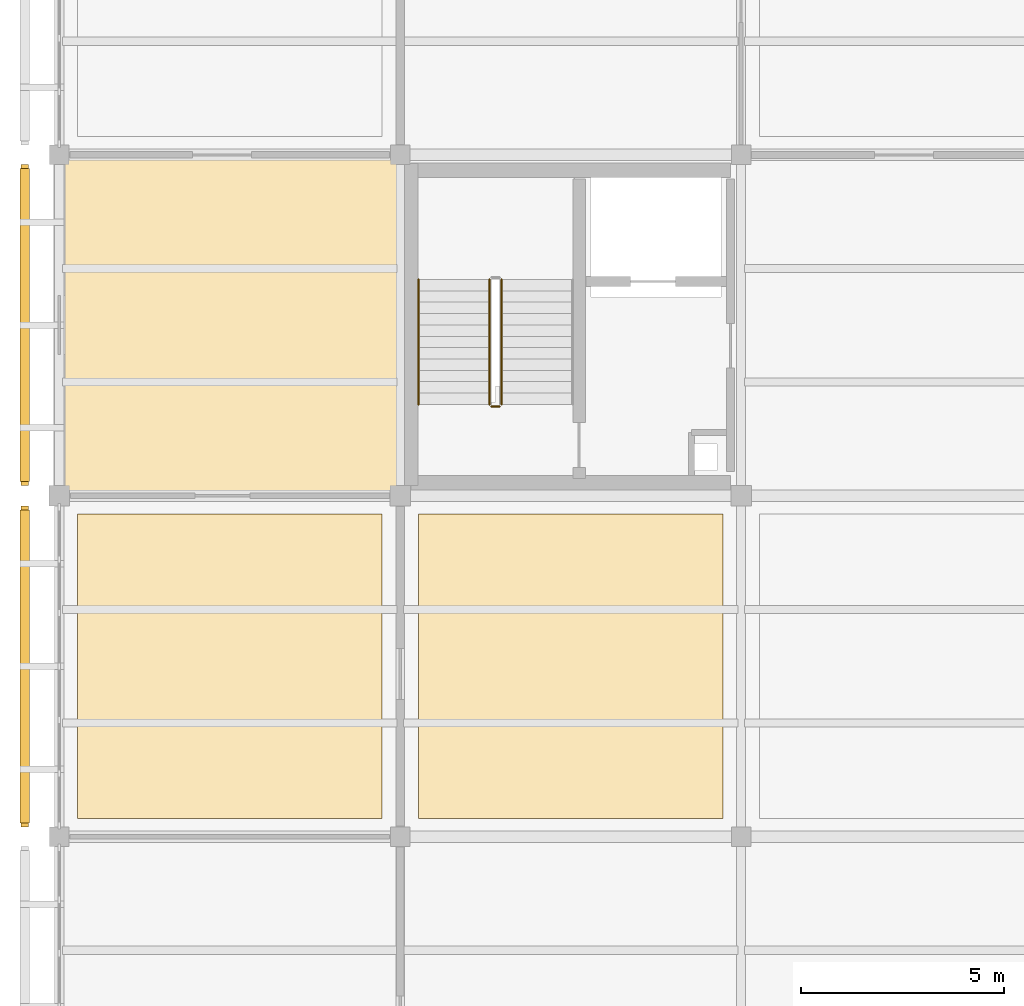
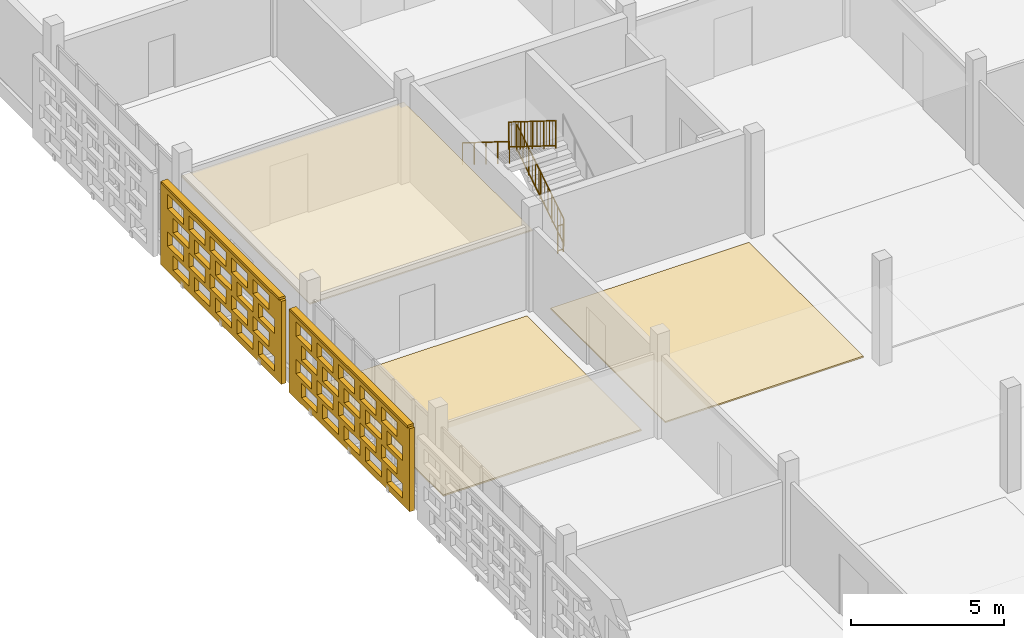
# One storey, part 133 of 166: 5 coverings, 4 railings, 2 shading devices, 40 openings.
"""IFC4 building model written with IfcOpenShell, lengths in metres."""

from ifc_helpers import new_model, si_unit, direction, frame, frame_2d, origin, origin_2d, place, context, subcontext, project, spatial, rectangle, circle, extrude, material, layer, layer_set, type_object, element, save


model = new_model("IFC4")

# Units and contexts
model_context = context("Model", 3, precision=1e-05, world=origin(), true_north=direction((0.0, 1.0)))
body_context = subcontext(model_context, "Body", "Model", "MODEL_VIEW")
ifc_project = project(units=[si_unit("LENGTHUNIT", "METRE"), si_unit("AREAUNIT", "SQUARE_METRE"), si_unit("VOLUMEUNIT", "CUBIC_METRE"), si_unit("PLANEANGLEUNIT", "RADIAN"), si_unit("MASSUNIT", "GRAM", prefix="KILO")], contexts=[model_context])

# Site, building, storey
site_placement = place(None, origin())
site = spatial("IfcSite", under=ifc_project, at=site_placement, CompositionType="ELEMENT")
building_placement = place(site_placement, origin())
building = spatial("IfcBuilding", under=site, at=building_placement, Name="Varnapada Polytechnic", CompositionType="ELEMENT")
storey_placement = place(building_placement, frame((0.0, 0.0, 9.60009765625)))
storey = spatial("IfcBuildingStorey", under=building, at=storey_placement, Name="L02", CompositionType="ELEMENT", Elevation=9.60009765625)

# Coverings
ifc_material_1 = material(Name="Anti-Static Raised Laboratory Flooring")
ifc_layer_1 = layer(ifc_material_1, 0.06005859375)
ifc_layer_set_1 = layer_set([ifc_layer_1], Name="Anti-Static Raised Laboratory Flooring")
covering_type_1 = type_object("IfcCoveringType", Name="Floor Finish FLR-02", PredefinedType="FLOORING", material=ifc_layer_set_1)
covering_1_placement = place(storey_placement, frame((4.199951171875, 96.60009765625, -0.000244140625), z_axis=(0.0, 0.0, 1.0), x_axis=(1.0, 0.0, 0.0)))
element("IfcCovering", 1, at=covering_1_placement, inside=storey, type_object=covering_type_1, Name="L02 floor finish panel (1,12)", PredefinedType="FLOORING", context=body_context, shape_type="SweptSolid", body=[
    extrude(rectangle(XDim=7.5, YDim=7.5, at=origin_2d()), origin(), (0.0, 0.0, 1.0), 0.06005859375),
])
ifc_material_2 = material(Name="End-Grain Timber Studio Block Flooring", Category="wood")
ifc_layer_2 = layer(ifc_material_2, 0.054931640625)
ifc_layer_set_2 = layer_set([ifc_layer_2], Name="End-Grain Timber Studio Block Flooring")
covering_type_2 = type_object("IfcCoveringType", Name="Floor Finish FLR-04", PredefinedType="FLOORING", material=ifc_layer_set_2)
covering_2_placement = place(storey_placement, frame((12.60009765625, 96.60009765625, 0.0), z_axis=(0.0, 0.0, 1.0), x_axis=(1.0, 0.0, 0.0)))
element("IfcCovering", 2, at=covering_2_placement, inside=storey, type_object=covering_type_2, Name="L02 floor finish panel (2,12)", PredefinedType="FLOORING", context=body_context, shape_type="SweptSolid", body=[
    extrude(rectangle(XDim=7.5, YDim=7.5, at=origin_2d()), origin(), (0.0, 0.0, 1.0), 0.054931640625),
])

# Railings
ifc_material_3 = material(Name="Brushed Stainless Steel 316", Category="steel")
railing_type_1 = type_object("IfcRailingType", Name="Stair Wall Handrail SHR-01", PredefinedType="HANDRAIL", material=ifc_material_3)
railing_1_placement = place(storey_placement, frame((8.85009765625, 106.1298828125, 2.27490234375)))
element("IfcRailing", 3, at=railing_1_placement, inside=storey, type_object=railing_type_1, Name="L02 ST-1 stair handrail 2", PredefinedType="HANDRAIL", context=body_context, shape_type="SweptSolid", body=[
    extrude(circle(Radius=0.02392578125, at=origin_2d()), frame((0.0, 0.0, 0.8759765625), z_axis=(0.0, -0.847979421464, 0.530029150871), x_axis=(1.0, 0.0, 0.0)), (0.0, 0.0, 1.0), 3.632080078125),
    extrude(circle(Radius=0.02099609375, at=origin_2d()), origin(), (0.0, 0.0, 1.0), 0.851806640625),
    extrude(circle(Radius=0.02099609375, at=origin_2d()), frame((0.0, -0.77001953125, 0.481201171875)), (0.0, 0.0, 1.0), 0.851806640625),
    extrude(circle(Radius=0.02099609375, at=origin_2d()), frame((0.0, -1.5400390625, 0.96240234375)), (0.0, 0.0, 1.0), 0.851806640625),
    extrude(circle(Radius=0.02099609375, at=origin_2d()), frame((0.0, -2.309814453125, 1.44384765625)), (0.0, 0.0, 1.0), 0.851806640625),
    extrude(circle(Radius=0.02099609375, at=origin_2d()), frame((0.0, -3.079833984375, 1.925048828125)), (0.0, 0.0, 1.0), 0.851806640625),
])
railing_type_2 = type_object("IfcRailingType", Name="Stair Well Guard Rail SGR-01", PredefinedType="BALUSTRADE", material=ifc_material_3)
railing_2_placement = place(storey_placement, frame((10.89990234375, 103.050048828125, 0.1748046875)))
element("IfcRailing", 4, at=railing_2_placement, inside=storey, type_object=railing_type_2, Name="L02 ST-1 stair guard 1", PredefinedType="BALUSTRADE", context=body_context, shape_type="SweptSolid", body=[
    extrude(circle(Radius=0.02392578125, at=origin_2d()), frame((0.0, 0.0, 1.09619140625), z_axis=(0.0, 0.847979421464, 0.530029150871), x_axis=(-1.0, 0.0, 0.0)), (0.0, 0.0, 1.0), 3.632080078125),
    extrude(circle(Radius=0.02392578125, at=origin_2d()), frame((0.0, 0.0, 0.10009765625), z_axis=(0.0, 0.847979421464, 0.530029150871), x_axis=(-1.0, 0.0, 0.0)), (0.0, 0.0, 1.0), 3.632080078125),
    extrude(circle(Radius=0.02099609375, at=origin_2d()), origin(), (0.0, 0.0, 1.0), 1.072021484375),
    extrude(circle(Radius=0.02099609375, at=origin_2d()), frame((0.0, 0.77001953125, 0.481201171875)), (0.0, 0.0, 1.0), 1.072021484375),
    extrude(circle(Radius=0.02099609375, at=origin_2d()), frame((0.0, 1.5400390625, 0.96240234375)), (0.0, 0.0, 1.0), 1.072021484375),
    extrude(circle(Radius=0.02099609375, at=origin_2d()), frame((0.0, 2.309814453125, 1.44384765625)), (0.0, 0.0, 1.0), 1.072021484375),
    extrude(circle(Radius=0.02099609375, at=origin_2d()), frame((0.0, 3.079833984375, 1.925048828125)), (0.0, 0.0, 1.0), 1.072021484375),
    extrude(circle(Radius=0.010009765625, at=origin_2d()), frame((0.0, 0.205322265625, 0.228515625)), (0.0, 0.0, 1.0), 0.971923828125),
    extrude(circle(Radius=0.010009765625, at=origin_2d()), frame((0.0, 0.41064453125, 0.356689453125)), (0.0, 0.0, 1.0), 0.971923828125),
    extrude(circle(Radius=0.010009765625, at=origin_2d()), frame((0.0, 0.615966796875, 0.485107421875)), (0.0, 0.0, 1.0), 0.971923828125),
    extrude(circle(Radius=0.010009765625, at=origin_2d()), frame((0.0, 0.8212890625, 0.613525390625)), (0.0, 0.0, 1.0), 0.971923828125),
    extrude(circle(Radius=0.010009765625, at=origin_2d()), frame((0.0, 1.026611328125, 0.74169921875)), (0.0, 0.0, 1.0), 0.971923828125),
    extrude(circle(Radius=0.010009765625, at=origin_2d()), frame((0.0, 1.23193359375, 0.8701171875)), (0.0, 0.0, 1.0), 0.971923828125),
    extrude(circle(Radius=0.010009765625, at=origin_2d()), frame((0.0, 1.437255859375, 0.99853515625)), (0.0, 0.0, 1.0), 0.971923828125),
    extrude(circle(Radius=0.010009765625, at=origin_2d()), frame((0.0, 1.642578125, 1.126708984375)), (0.0, 0.0, 1.0), 0.971923828125),
    extrude(circle(Radius=0.010009765625, at=origin_2d()), frame((0.0, 1.847900390625, 1.255126953125)), (0.0, 0.0, 1.0), 0.971923828125),
    extrude(circle(Radius=0.010009765625, at=origin_2d()), frame((0.0, 2.05322265625, 1.383544921875)), (0.0, 0.0, 1.0), 0.971923828125),
    extrude(circle(Radius=0.010009765625, at=origin_2d()), frame((0.0, 2.258544921875, 1.51171875)), (0.0, 0.0, 1.0), 0.971923828125),
    extrude(circle(Radius=0.010009765625, at=origin_2d()), frame((0.0, 2.4638671875, 1.64013671875)), (0.0, 0.0, 1.0), 0.971923828125),
    extrude(circle(Radius=0.010009765625, at=origin_2d()), frame((0.0, 2.669189453125, 1.7685546875)), (0.0, 0.0, 1.0), 0.971923828125),
    extrude(circle(Radius=0.010009765625, at=origin_2d()), frame((0.0, 2.87451171875, 1.896728515625)), (0.0, 0.0, 1.0), 0.971923828125),
])
railing_3_placement = place(storey_placement, frame((10.60009765625, 106.1298828125, 2.27490234375)))
element("IfcRailing", 5, at=railing_3_placement, inside=storey, type_object=railing_type_2, Name="L02 ST-1 stair guard 3", PredefinedType="BALUSTRADE", context=body_context, shape_type="SweptSolid", body=[
    extrude(circle(Radius=0.02392578125, at=origin_2d()), frame((0.0, 0.0, 1.09619140625), z_axis=(0.0, -0.847979421464, 0.530029150871), x_axis=(1.0, 0.0, 0.0)), (0.0, 0.0, 1.0), 3.632080078125),
    extrude(circle(Radius=0.02392578125, at=origin_2d()), frame((0.0, 0.0, 0.10009765625), z_axis=(0.0, -0.847979421464, 0.530029150871), x_axis=(1.0, 0.0, 0.0)), (0.0, 0.0, 1.0), 3.632080078125),
    extrude(circle(Radius=0.02099609375, at=origin_2d()), origin(), (0.0, 0.0, 1.0), 1.072021484375),
    extrude(circle(Radius=0.02099609375, at=origin_2d()), frame((0.0, -0.77001953125, 0.481201171875)), (0.0, 0.0, 1.0), 1.072021484375),
    extrude(circle(Radius=0.02099609375, at=origin_2d()), frame((0.0, -1.5400390625, 0.96240234375)), (0.0, 0.0, 1.0), 1.072021484375),
    extrude(circle(Radius=0.02099609375, at=origin_2d()), frame((0.0, -2.309814453125, 1.44384765625)), (0.0, 0.0, 1.0), 1.072021484375),
    extrude(circle(Radius=0.02099609375, at=origin_2d()), frame((0.0, -3.079833984375, 1.925048828125)), (0.0, 0.0, 1.0), 1.072021484375),
    extrude(circle(Radius=0.010009765625, at=origin_2d()), frame((0.0, -0.205322265625, 0.228515625)), (0.0, 0.0, 1.0), 0.971923828125),
    extrude(circle(Radius=0.010009765625, at=origin_2d()), frame((0.0, -0.41064453125, 0.356689453125)), (0.0, 0.0, 1.0), 0.971923828125),
    extrude(circle(Radius=0.010009765625, at=origin_2d()), frame((0.0, -0.615966796875, 0.485107421875)), (0.0, 0.0, 1.0), 0.971923828125),
    extrude(circle(Radius=0.010009765625, at=origin_2d()), frame((0.0, -0.8212890625, 0.613525390625)), (0.0, 0.0, 1.0), 0.971923828125),
    extrude(circle(Radius=0.010009765625, at=origin_2d()), frame((0.0, -1.026611328125, 0.74169921875)), (0.0, 0.0, 1.0), 0.971923828125),
    extrude(circle(Radius=0.010009765625, at=origin_2d()), frame((0.0, -1.23193359375, 0.8701171875)), (0.0, 0.0, 1.0), 0.971923828125),
    extrude(circle(Radius=0.010009765625, at=origin_2d()), frame((0.0, -1.437255859375, 0.99853515625)), (0.0, 0.0, 1.0), 0.971923828125),
    extrude(circle(Radius=0.010009765625, at=origin_2d()), frame((0.0, -1.642578125, 1.126708984375)), (0.0, 0.0, 1.0), 0.971923828125),
    extrude(circle(Radius=0.010009765625, at=origin_2d()), frame((0.0, -1.847900390625, 1.255126953125)), (0.0, 0.0, 1.0), 0.971923828125),
    extrude(circle(Radius=0.010009765625, at=origin_2d()), frame((0.0, -2.05322265625, 1.383544921875)), (0.0, 0.0, 1.0), 0.971923828125),
    extrude(circle(Radius=0.010009765625, at=origin_2d()), frame((0.0, -2.258544921875, 1.51171875)), (0.0, 0.0, 1.0), 0.971923828125),
    extrude(circle(Radius=0.010009765625, at=origin_2d()), frame((0.0, -2.4638671875, 1.64013671875)), (0.0, 0.0, 1.0), 0.971923828125),
    extrude(circle(Radius=0.010009765625, at=origin_2d()), frame((0.0, -2.669189453125, 1.7685546875)), (0.0, 0.0, 1.0), 0.971923828125),
    extrude(circle(Radius=0.010009765625, at=origin_2d()), frame((0.0, -2.87451171875, 1.896728515625)), (0.0, 0.0, 1.0), 0.971923828125),
])
railing_4_placement = place(storey_placement, frame((10.85009765625, 103.0, 0.0)))
element("IfcRailing", 6, at=railing_4_placement, inside=storey, type_object=railing_type_2, Name="L02 ST-1 stair guard 4", PredefinedType="BALUSTRADE", context=body_context, shape_type="SweptSolid", body=[
    extrude(circle(Radius=0.02392578125, at=origin_2d()), frame((0.0, 0.0, 1.09619140625), z_axis=(-1.0, 0.0, 0.0), x_axis=(0.0, -1.0, 0.0)), (0.0, 0.0, 1.0), 0.2001953125),
    extrude(circle(Radius=0.02392578125, at=origin_2d()), frame((0.0, 0.0, 0.10009765625), z_axis=(-1.0, 0.0, 0.0), x_axis=(0.0, -1.0, 0.0)), (0.0, 0.0, 1.0), 0.2001953125),
    extrude(circle(Radius=0.02099609375, at=origin_2d()), origin(), (0.0, 0.0, 1.0), 1.072021484375),
    extrude(circle(Radius=0.02099609375, at=origin_2d()), frame((-0.2001953125, 0.0, 0.0)), (0.0, 0.0, 1.0), 1.072021484375),
])

# Covering
ifc_material_4 = material(Name="Perforated Timber Slatted Baffle Ceiling", Category="wood")
ifc_layer_3 = layer(ifc_material_4, 0.050048828125)
ifc_layer_set_3 = layer_set([ifc_layer_3], Name="Perforated Timber Slatted Baffle Ceiling")
covering_type_3 = type_object("IfcCoveringType", Name="Suspended Ceiling CLG-02", PredefinedType="CEILING", material=ifc_layer_set_3)
covering_3_placement = place(storey_placement, frame((4.199951171875, 105.0, 3.02490234375), z_axis=(0.0, 0.0, 1.0), x_axis=(1.0, 0.0, 0.0)))
element("IfcCovering", 7, at=covering_3_placement, inside=storey, type_object=covering_type_3, Name="L02 suspended acoustic ceiling (1,13)", PredefinedType="CEILING", context=body_context, shape_type="SweptSolid", body=[
    extrude(rectangle(XDim=8.419921875, YDim=8.419921875, at=origin_2d()), origin(), (0.0, 0.0, 1.0), 0.050048828125),
])

# Covering, openings
ifc_material_5 = material(Name="Earth-toned architectural terracotta screen block", Category="masonry")
ifc_layer_4 = layer(ifc_material_5, 0.1201171875)
ifc_layer_set_4 = layer_set([ifc_layer_4], Name="Earth-toned architectural terracotta screen block")
covering_type_4 = type_object("IfcCoveringType", Name="Terracotta Screen Cladding CLD-01", PredefinedType="CLADDING", material=ifc_layer_set_4)
covering_4_placement = place(storey_placement, frame((-0.85009765625, 92.639892578125, 0.0), z_axis=(0.0, 0.0, 1.0), x_axis=(0.0, 1.0, 0.0)))
covering_4 = element("IfcCovering", 8, at=covering_4_placement, inside=storey, type_object=covering_type_4, Name="L02 perforated terracotta block screen (8)", PredefinedType="CLADDING", context=body_context, shape_type="SweptSolid", body=[
    extrude(rectangle(XDim=7.91015625, YDim=0.179931640625, at=frame_2d((3.955078125, 0.0))), origin(), (0.0, 0.0, 1.0), 3.31982421875),
])
opening_1_placement = place(covering_4_placement, frame((0.455078125, 0.0, 0.265625)))
element("IfcOpeningElement", 9, at=opening_1_placement, cuts=covering_4, Name="Screen perforation TBS-L02-007.1", PredefinedType="OPENING", context=body_context, shape_type="SweptSolid", body=[
    extrude(rectangle(XDim=1.0400390625, YDim=0.5810546875, at=frame_2d((0.52001953125, 0.29052734375))), frame((0.0, 0.099853515625, 0.0), z_axis=(0.0, -1.0, 0.0), x_axis=(1.0, 0.0, 0.0)), (0.0, 0.0, 1.0), 0.199951171875),
])
opening_2_placement = place(covering_4_placement, frame((1.85498046875, 0.0, 0.265625)))
element("IfcOpeningElement", 10, at=opening_2_placement, cuts=covering_4, Name="Screen perforation TBS-L02-007.2", PredefinedType="OPENING", context=body_context, shape_type="SweptSolid", body=[
    extrude(rectangle(XDim=1.0400390625, YDim=0.5810546875, at=frame_2d((0.52001953125, 0.29052734375))), frame((0.0, 0.099853515625, 0.0), z_axis=(0.0, -1.0, 0.0), x_axis=(1.0, 0.0, 0.0)), (0.0, 0.0, 1.0), 0.199951171875),
])
opening_3_placement = place(covering_4_placement, frame((3.2548828125, 0.0, 0.265625)))
element("IfcOpeningElement", 11, at=opening_3_placement, cuts=covering_4, Name="Screen perforation TBS-L02-007.3", PredefinedType="OPENING", context=body_context, shape_type="SweptSolid", body=[
    extrude(rectangle(XDim=1.0400390625, YDim=0.5810546875, at=frame_2d((0.52001953125, 0.29052734375))), frame((0.0, 0.099853515625, 0.0), z_axis=(0.0, -1.0, 0.0), x_axis=(1.0, 0.0, 0.0)), (0.0, 0.0, 1.0), 0.199951171875),
])
opening_4_placement = place(covering_4_placement, frame((4.655029296875, 0.0, 0.265625)))
element("IfcOpeningElement", 12, at=opening_4_placement, cuts=covering_4, Name="Screen perforation TBS-L02-007.4", PredefinedType="OPENING", context=body_context, shape_type="SweptSolid", body=[
    extrude(rectangle(XDim=1.0400390625, YDim=0.5810546875, at=frame_2d((0.52001953125, 0.29052734375))), frame((0.0, 0.099853515625, 0.0), z_axis=(0.0, -1.0, 0.0), x_axis=(1.0, 0.0, 0.0)), (0.0, 0.0, 1.0), 0.199951171875),
])
opening_5_placement = place(covering_4_placement, frame((6.054931640625, 0.0, 0.265625)))
element("IfcOpeningElement", 13, at=opening_5_placement, cuts=covering_4, Name="Screen perforation TBS-L02-007.5", PredefinedType="OPENING", context=body_context, shape_type="SweptSolid", body=[
    extrude(rectangle(XDim=1.0400390625, YDim=0.5810546875, at=frame_2d((0.52001953125, 0.29052734375))), frame((0.0, 0.099853515625, 0.0), z_axis=(0.0, -1.0, 0.0), x_axis=(1.0, 0.0, 0.0)), (0.0, 0.0, 1.0), 0.199951171875),
])
opening_6_placement = place(covering_4_placement, frame((0.81494140625, 0.0, 1.0126953125)))
element("IfcOpeningElement", 14, at=opening_6_placement, cuts=covering_4, Name="Screen perforation TBS-L02-007.6", PredefinedType="OPENING", context=body_context, shape_type="SweptSolid", body=[
    extrude(rectangle(XDim=1.0400390625, YDim=0.5810546875, at=frame_2d((0.52001953125, 0.29052734375))), frame((0.0, 0.099853515625, 0.0), z_axis=(0.0, -1.0, 0.0), x_axis=(1.0, 0.0, 0.0)), (0.0, 0.0, 1.0), 0.199951171875),
])
opening_7_placement = place(covering_4_placement, frame((2.215087890625, 0.0, 1.0126953125)))
element("IfcOpeningElement", 15, at=opening_7_placement, cuts=covering_4, Name="Screen perforation TBS-L02-007.7", PredefinedType="OPENING", context=body_context, shape_type="SweptSolid", body=[
    extrude(rectangle(XDim=1.0400390625, YDim=0.5810546875, at=frame_2d((0.52001953125, 0.29052734375))), frame((0.0, 0.099853515625, 0.0), z_axis=(0.0, -1.0, 0.0), x_axis=(1.0, 0.0, 0.0)), (0.0, 0.0, 1.0), 0.199951171875),
])
opening_8_placement = place(covering_4_placement, frame((3.614990234375, 0.0, 1.0126953125)))
element("IfcOpeningElement", 16, at=opening_8_placement, cuts=covering_4, Name="Screen perforation TBS-L02-007.8", PredefinedType="OPENING", context=body_context, shape_type="SweptSolid", body=[
    extrude(rectangle(XDim=1.0400390625, YDim=0.5810546875, at=frame_2d((0.52001953125, 0.29052734375))), frame((0.0, 0.099853515625, 0.0), z_axis=(0.0, -1.0, 0.0), x_axis=(1.0, 0.0, 0.0)), (0.0, 0.0, 1.0), 0.199951171875),
])
opening_9_placement = place(covering_4_placement, frame((5.014892578125, 0.0, 1.0126953125)))
element("IfcOpeningElement", 17, at=opening_9_placement, cuts=covering_4, Name="Screen perforation TBS-L02-007.9", PredefinedType="OPENING", context=body_context, shape_type="SweptSolid", body=[
    extrude(rectangle(XDim=1.0400390625, YDim=0.5810546875, at=frame_2d((0.52001953125, 0.29052734375))), frame((0.0, 0.099853515625, 0.0), z_axis=(0.0, -1.0, 0.0), x_axis=(1.0, 0.0, 0.0)), (0.0, 0.0, 1.0), 0.199951171875),
])
opening_10_placement = place(covering_4_placement, frame((6.4150390625, 0.0, 1.0126953125)))
element("IfcOpeningElement", 18, at=opening_10_placement, cuts=covering_4, Name="Screen perforation TBS-L02-007.10", PredefinedType="OPENING", context=body_context, shape_type="SweptSolid", body=[
    extrude(rectangle(XDim=1.0400390625, YDim=0.5810546875, at=frame_2d((0.52001953125, 0.29052734375))), frame((0.0, 0.099853515625, 0.0), z_axis=(0.0, -1.0, 0.0), x_axis=(1.0, 0.0, 0.0)), (0.0, 0.0, 1.0), 0.199951171875),
])
opening_11_placement = place(covering_4_placement, frame((0.455078125, 0.0, 1.759521484375)))
element("IfcOpeningElement", 19, at=opening_11_placement, cuts=covering_4, Name="Screen perforation TBS-L02-007.11", PredefinedType="OPENING", context=body_context, shape_type="SweptSolid", body=[
    extrude(rectangle(XDim=1.0400390625, YDim=0.5810546875, at=frame_2d((0.52001953125, 0.29052734375))), frame((0.0, 0.099853515625, 0.0), z_axis=(0.0, -1.0, 0.0), x_axis=(1.0, 0.0, 0.0)), (0.0, 0.0, 1.0), 0.199951171875),
])
opening_12_placement = place(covering_4_placement, frame((1.85498046875, 0.0, 1.759521484375)))
element("IfcOpeningElement", 20, at=opening_12_placement, cuts=covering_4, Name="Screen perforation TBS-L02-007.12", PredefinedType="OPENING", context=body_context, shape_type="SweptSolid", body=[
    extrude(rectangle(XDim=1.0400390625, YDim=0.5810546875, at=frame_2d((0.52001953125, 0.29052734375))), frame((0.0, 0.099853515625, 0.0), z_axis=(0.0, -1.0, 0.0), x_axis=(1.0, 0.0, 0.0)), (0.0, 0.0, 1.0), 0.199951171875),
])
opening_13_placement = place(covering_4_placement, frame((3.2548828125, 0.0, 1.759521484375)))
element("IfcOpeningElement", 21, at=opening_13_placement, cuts=covering_4, Name="Screen perforation TBS-L02-007.13", PredefinedType="OPENING", context=body_context, shape_type="SweptSolid", body=[
    extrude(rectangle(XDim=1.0400390625, YDim=0.5810546875, at=frame_2d((0.52001953125, 0.29052734375))), frame((0.0, 0.099853515625, 0.0), z_axis=(0.0, -1.0, 0.0), x_axis=(1.0, 0.0, 0.0)), (0.0, 0.0, 1.0), 0.199951171875),
])
opening_14_placement = place(covering_4_placement, frame((4.655029296875, 0.0, 1.759521484375)))
element("IfcOpeningElement", 22, at=opening_14_placement, cuts=covering_4, Name="Screen perforation TBS-L02-007.14", PredefinedType="OPENING", context=body_context, shape_type="SweptSolid", body=[
    extrude(rectangle(XDim=1.0400390625, YDim=0.5810546875, at=frame_2d((0.52001953125, 0.29052734375))), frame((0.0, 0.099853515625, 0.0), z_axis=(0.0, -1.0, 0.0), x_axis=(1.0, 0.0, 0.0)), (0.0, 0.0, 1.0), 0.199951171875),
])
opening_15_placement = place(covering_4_placement, frame((6.054931640625, 0.0, 1.759521484375)))
element("IfcOpeningElement", 23, at=opening_15_placement, cuts=covering_4, Name="Screen perforation TBS-L02-007.15", PredefinedType="OPENING", context=body_context, shape_type="SweptSolid", body=[
    extrude(rectangle(XDim=1.0400390625, YDim=0.5810546875, at=frame_2d((0.52001953125, 0.29052734375))), frame((0.0, 0.099853515625, 0.0), z_axis=(0.0, -1.0, 0.0), x_axis=(1.0, 0.0, 0.0)), (0.0, 0.0, 1.0), 0.199951171875),
])
opening_16_placement = place(covering_4_placement, frame((0.81494140625, 0.0, 2.506591796875)))
element("IfcOpeningElement", 24, at=opening_16_placement, cuts=covering_4, Name="Screen perforation TBS-L02-007.16", PredefinedType="OPENING", context=body_context, shape_type="SweptSolid", body=[
    extrude(rectangle(XDim=1.0400390625, YDim=0.5810546875, at=frame_2d((0.52001953125, 0.29052734375))), frame((0.0, 0.099853515625, 0.0), z_axis=(0.0, -1.0, 0.0), x_axis=(1.0, 0.0, 0.0)), (0.0, 0.0, 1.0), 0.199951171875),
])
opening_17_placement = place(covering_4_placement, frame((2.215087890625, 0.0, 2.506591796875)))
element("IfcOpeningElement", 25, at=opening_17_placement, cuts=covering_4, Name="Screen perforation TBS-L02-007.17", PredefinedType="OPENING", context=body_context, shape_type="SweptSolid", body=[
    extrude(rectangle(XDim=1.0400390625, YDim=0.5810546875, at=frame_2d((0.52001953125, 0.29052734375))), frame((0.0, 0.099853515625, 0.0), z_axis=(0.0, -1.0, 0.0), x_axis=(1.0, 0.0, 0.0)), (0.0, 0.0, 1.0), 0.199951171875),
])
opening_18_placement = place(covering_4_placement, frame((3.614990234375, 0.0, 2.506591796875)))
element("IfcOpeningElement", 26, at=opening_18_placement, cuts=covering_4, Name="Screen perforation TBS-L02-007.18", PredefinedType="OPENING", context=body_context, shape_type="SweptSolid", body=[
    extrude(rectangle(XDim=1.0400390625, YDim=0.5810546875, at=frame_2d((0.52001953125, 0.29052734375))), frame((0.0, 0.099853515625, 0.0), z_axis=(0.0, -1.0, 0.0), x_axis=(1.0, 0.0, 0.0)), (0.0, 0.0, 1.0), 0.199951171875),
])
opening_19_placement = place(covering_4_placement, frame((5.014892578125, 0.0, 2.506591796875)))
element("IfcOpeningElement", 27, at=opening_19_placement, cuts=covering_4, Name="Screen perforation TBS-L02-007.19", PredefinedType="OPENING", context=body_context, shape_type="SweptSolid", body=[
    extrude(rectangle(XDim=1.0400390625, YDim=0.5810546875, at=frame_2d((0.52001953125, 0.29052734375))), frame((0.0, 0.099853515625, 0.0), z_axis=(0.0, -1.0, 0.0), x_axis=(1.0, 0.0, 0.0)), (0.0, 0.0, 1.0), 0.199951171875),
])
opening_20_placement = place(covering_4_placement, frame((6.4150390625, 0.0, 2.506591796875)))
element("IfcOpeningElement", 28, at=opening_20_placement, cuts=covering_4, Name="Screen perforation TBS-L02-007.20", PredefinedType="OPENING", context=body_context, shape_type="SweptSolid", body=[
    extrude(rectangle(XDim=1.0400390625, YDim=0.5810546875, at=frame_2d((0.52001953125, 0.29052734375))), frame((0.0, 0.099853515625, 0.0), z_axis=(0.0, -1.0, 0.0), x_axis=(1.0, 0.0, 0.0)), (0.0, 0.0, 1.0), 0.199951171875),
])

covering_5_placement = place(storey_placement, frame((-0.85009765625, 101.050048828125, 0.0), z_axis=(0.0, 0.0, 1.0), x_axis=(0.0, 1.0, 0.0)))
covering_5 = element("IfcCovering", 29, at=covering_5_placement, inside=storey, type_object=covering_type_4, Name="L02 perforated terracotta block screen (9)", PredefinedType="CLADDING", context=body_context, shape_type="SweptSolid", body=[
    extrude(rectangle(XDim=7.909912109375, YDim=0.179931640625, at=frame_2d((3.955078125, 0.0))), origin(), (0.0, 0.0, 1.0), 3.31982421875),
])
opening_21_placement = place(covering_5_placement, frame((0.455078125, 0.0, 0.265625)))
element("IfcOpeningElement", 30, at=opening_21_placement, cuts=covering_5, Name="Screen perforation TBS-L02-008.1", PredefinedType="OPENING", context=body_context, shape_type="SweptSolid", body=[
    extrude(rectangle(XDim=1.0400390625, YDim=0.5810546875, at=frame_2d((0.52001953125, 0.29052734375))), frame((0.0, 0.099853515625, 0.0), z_axis=(0.0, -1.0, 0.0), x_axis=(1.0, 0.0, 0.0)), (0.0, 0.0, 1.0), 0.199951171875),
])
opening_22_placement = place(covering_5_placement, frame((1.85498046875, 0.0, 0.265625)))
element("IfcOpeningElement", 31, at=opening_22_placement, cuts=covering_5, Name="Screen perforation TBS-L02-008.2", PredefinedType="OPENING", context=body_context, shape_type="SweptSolid", body=[
    extrude(rectangle(XDim=1.0400390625, YDim=0.5810546875, at=frame_2d((0.52001953125, 0.29052734375))), frame((0.0, 0.099853515625, 0.0), z_axis=(0.0, -1.0, 0.0), x_axis=(1.0, 0.0, 0.0)), (0.0, 0.0, 1.0), 0.199951171875),
])
opening_23_placement = place(covering_5_placement, frame((3.2548828125, 0.0, 0.265625)))
element("IfcOpeningElement", 32, at=opening_23_placement, cuts=covering_5, Name="Screen perforation TBS-L02-008.3", PredefinedType="OPENING", context=body_context, shape_type="SweptSolid", body=[
    extrude(rectangle(XDim=1.0400390625, YDim=0.5810546875, at=frame_2d((0.52001953125, 0.29052734375))), frame((0.0, 0.099853515625, 0.0), z_axis=(0.0, -1.0, 0.0), x_axis=(1.0, 0.0, 0.0)), (0.0, 0.0, 1.0), 0.199951171875),
])
opening_24_placement = place(covering_5_placement, frame((4.655029296875, 0.0, 0.265625)))
element("IfcOpeningElement", 33, at=opening_24_placement, cuts=covering_5, Name="Screen perforation TBS-L02-008.4", PredefinedType="OPENING", context=body_context, shape_type="SweptSolid", body=[
    extrude(rectangle(XDim=1.0400390625, YDim=0.5810546875, at=frame_2d((0.52001953125, 0.29052734375))), frame((0.0, 0.099853515625, 0.0), z_axis=(0.0, -1.0, 0.0), x_axis=(1.0, 0.0, 0.0)), (0.0, 0.0, 1.0), 0.199951171875),
])
opening_25_placement = place(covering_5_placement, frame((6.054931640625, 0.0, 0.265625)))
element("IfcOpeningElement", 34, at=opening_25_placement, cuts=covering_5, Name="Screen perforation TBS-L02-008.5", PredefinedType="OPENING", context=body_context, shape_type="SweptSolid", body=[
    extrude(rectangle(XDim=1.0400390625, YDim=0.5810546875, at=frame_2d((0.52001953125, 0.29052734375))), frame((0.0, 0.099853515625, 0.0), z_axis=(0.0, -1.0, 0.0), x_axis=(1.0, 0.0, 0.0)), (0.0, 0.0, 1.0), 0.199951171875),
])
opening_26_placement = place(covering_5_placement, frame((0.81494140625, 0.0, 1.0126953125)))
element("IfcOpeningElement", 35, at=opening_26_placement, cuts=covering_5, Name="Screen perforation TBS-L02-008.6", PredefinedType="OPENING", context=body_context, shape_type="SweptSolid", body=[
    extrude(rectangle(XDim=1.0400390625, YDim=0.5810546875, at=frame_2d((0.52001953125, 0.29052734375))), frame((0.0, 0.099853515625, 0.0), z_axis=(0.0, -1.0, 0.0), x_axis=(1.0, 0.0, 0.0)), (0.0, 0.0, 1.0), 0.199951171875),
])
opening_27_placement = place(covering_5_placement, frame((2.215087890625, 0.0, 1.0126953125)))
element("IfcOpeningElement", 36, at=opening_27_placement, cuts=covering_5, Name="Screen perforation TBS-L02-008.7", PredefinedType="OPENING", context=body_context, shape_type="SweptSolid", body=[
    extrude(rectangle(XDim=1.0400390625, YDim=0.5810546875, at=frame_2d((0.52001953125, 0.29052734375))), frame((0.0, 0.099853515625, 0.0), z_axis=(0.0, -1.0, 0.0), x_axis=(1.0, 0.0, 0.0)), (0.0, 0.0, 1.0), 0.199951171875),
])
opening_28_placement = place(covering_5_placement, frame((3.614990234375, 0.0, 1.0126953125)))
element("IfcOpeningElement", 37, at=opening_28_placement, cuts=covering_5, Name="Screen perforation TBS-L02-008.8", PredefinedType="OPENING", context=body_context, shape_type="SweptSolid", body=[
    extrude(rectangle(XDim=1.0400390625, YDim=0.5810546875, at=frame_2d((0.52001953125, 0.29052734375))), frame((0.0, 0.099853515625, 0.0), z_axis=(0.0, -1.0, 0.0), x_axis=(1.0, 0.0, 0.0)), (0.0, 0.0, 1.0), 0.199951171875),
])
opening_29_placement = place(covering_5_placement, frame((5.014892578125, 0.0, 1.0126953125)))
element("IfcOpeningElement", 38, at=opening_29_placement, cuts=covering_5, Name="Screen perforation TBS-L02-008.9", PredefinedType="OPENING", context=body_context, shape_type="SweptSolid", body=[
    extrude(rectangle(XDim=1.0400390625, YDim=0.5810546875, at=frame_2d((0.52001953125, 0.29052734375))), frame((0.0, 0.099853515625, 0.0), z_axis=(0.0, -1.0, 0.0), x_axis=(1.0, 0.0, 0.0)), (0.0, 0.0, 1.0), 0.199951171875),
])
opening_30_placement = place(covering_5_placement, frame((6.4150390625, 0.0, 1.0126953125)))
element("IfcOpeningElement", 39, at=opening_30_placement, cuts=covering_5, Name="Screen perforation TBS-L02-008.10", PredefinedType="OPENING", context=body_context, shape_type="SweptSolid", body=[
    extrude(rectangle(XDim=1.0400390625, YDim=0.5810546875, at=frame_2d((0.52001953125, 0.29052734375))), frame((0.0, 0.099853515625, 0.0), z_axis=(0.0, -1.0, 0.0), x_axis=(1.0, 0.0, 0.0)), (0.0, 0.0, 1.0), 0.199951171875),
])
opening_31_placement = place(covering_5_placement, frame((0.455078125, 0.0, 1.759521484375)))
element("IfcOpeningElement", 40, at=opening_31_placement, cuts=covering_5, Name="Screen perforation TBS-L02-008.11", PredefinedType="OPENING", context=body_context, shape_type="SweptSolid", body=[
    extrude(rectangle(XDim=1.0400390625, YDim=0.5810546875, at=frame_2d((0.52001953125, 0.29052734375))), frame((0.0, 0.099853515625, 0.0), z_axis=(0.0, -1.0, 0.0), x_axis=(1.0, 0.0, 0.0)), (0.0, 0.0, 1.0), 0.199951171875),
])
opening_32_placement = place(covering_5_placement, frame((1.85498046875, 0.0, 1.759521484375)))
element("IfcOpeningElement", 41, at=opening_32_placement, cuts=covering_5, Name="Screen perforation TBS-L02-008.12", PredefinedType="OPENING", context=body_context, shape_type="SweptSolid", body=[
    extrude(rectangle(XDim=1.0400390625, YDim=0.5810546875, at=frame_2d((0.52001953125, 0.29052734375))), frame((0.0, 0.099853515625, 0.0), z_axis=(0.0, -1.0, 0.0), x_axis=(1.0, 0.0, 0.0)), (0.0, 0.0, 1.0), 0.199951171875),
])
opening_33_placement = place(covering_5_placement, frame((3.2548828125, 0.0, 1.759521484375)))
element("IfcOpeningElement", 42, at=opening_33_placement, cuts=covering_5, Name="Screen perforation TBS-L02-008.13", PredefinedType="OPENING", context=body_context, shape_type="SweptSolid", body=[
    extrude(rectangle(XDim=1.0400390625, YDim=0.5810546875, at=frame_2d((0.52001953125, 0.29052734375))), frame((0.0, 0.099853515625, 0.0), z_axis=(0.0, -1.0, 0.0), x_axis=(1.0, 0.0, 0.0)), (0.0, 0.0, 1.0), 0.199951171875),
])
opening_34_placement = place(covering_5_placement, frame((4.655029296875, 0.0, 1.759521484375)))
element("IfcOpeningElement", 43, at=opening_34_placement, cuts=covering_5, Name="Screen perforation TBS-L02-008.14", PredefinedType="OPENING", context=body_context, shape_type="SweptSolid", body=[
    extrude(rectangle(XDim=1.0400390625, YDim=0.5810546875, at=frame_2d((0.52001953125, 0.29052734375))), frame((0.0, 0.099853515625, 0.0), z_axis=(0.0, -1.0, 0.0), x_axis=(1.0, 0.0, 0.0)), (0.0, 0.0, 1.0), 0.199951171875),
])
opening_35_placement = place(covering_5_placement, frame((6.054931640625, 0.0, 1.759521484375)))
element("IfcOpeningElement", 44, at=opening_35_placement, cuts=covering_5, Name="Screen perforation TBS-L02-008.15", PredefinedType="OPENING", context=body_context, shape_type="SweptSolid", body=[
    extrude(rectangle(XDim=1.0400390625, YDim=0.5810546875, at=frame_2d((0.52001953125, 0.29052734375))), frame((0.0, 0.099853515625, 0.0), z_axis=(0.0, -1.0, 0.0), x_axis=(1.0, 0.0, 0.0)), (0.0, 0.0, 1.0), 0.199951171875),
])
opening_36_placement = place(covering_5_placement, frame((0.81494140625, 0.0, 2.506591796875)))
element("IfcOpeningElement", 45, at=opening_36_placement, cuts=covering_5, Name="Screen perforation TBS-L02-008.16", PredefinedType="OPENING", context=body_context, shape_type="SweptSolid", body=[
    extrude(rectangle(XDim=1.0400390625, YDim=0.5810546875, at=frame_2d((0.52001953125, 0.29052734375))), frame((0.0, 0.099853515625, 0.0), z_axis=(0.0, -1.0, 0.0), x_axis=(1.0, 0.0, 0.0)), (0.0, 0.0, 1.0), 0.199951171875),
])
opening_37_placement = place(covering_5_placement, frame((2.215087890625, 0.0, 2.506591796875)))
element("IfcOpeningElement", 46, at=opening_37_placement, cuts=covering_5, Name="Screen perforation TBS-L02-008.17", PredefinedType="OPENING", context=body_context, shape_type="SweptSolid", body=[
    extrude(rectangle(XDim=1.0400390625, YDim=0.5810546875, at=frame_2d((0.52001953125, 0.29052734375))), frame((0.0, 0.099853515625, 0.0), z_axis=(0.0, -1.0, 0.0), x_axis=(1.0, 0.0, 0.0)), (0.0, 0.0, 1.0), 0.199951171875),
])
opening_38_placement = place(covering_5_placement, frame((3.614990234375, 0.0, 2.506591796875)))
element("IfcOpeningElement", 47, at=opening_38_placement, cuts=covering_5, Name="Screen perforation TBS-L02-008.18", PredefinedType="OPENING", context=body_context, shape_type="SweptSolid", body=[
    extrude(rectangle(XDim=1.0400390625, YDim=0.5810546875, at=frame_2d((0.52001953125, 0.29052734375))), frame((0.0, 0.099853515625, 0.0), z_axis=(0.0, -1.0, 0.0), x_axis=(1.0, 0.0, 0.0)), (0.0, 0.0, 1.0), 0.199951171875),
])
opening_39_placement = place(covering_5_placement, frame((5.014892578125, 0.0, 2.506591796875)))
element("IfcOpeningElement", 48, at=opening_39_placement, cuts=covering_5, Name="Screen perforation TBS-L02-008.19", PredefinedType="OPENING", context=body_context, shape_type="SweptSolid", body=[
    extrude(rectangle(XDim=1.0400390625, YDim=0.5810546875, at=frame_2d((0.52001953125, 0.29052734375))), frame((0.0, 0.099853515625, 0.0), z_axis=(0.0, -1.0, 0.0), x_axis=(1.0, 0.0, 0.0)), (0.0, 0.0, 1.0), 0.199951171875),
])
opening_40_placement = place(covering_5_placement, frame((6.4150390625, 0.0, 2.506591796875)))
element("IfcOpeningElement", 49, at=opening_40_placement, cuts=covering_5, Name="Screen perforation TBS-L02-008.20", PredefinedType="OPENING", context=body_context, shape_type="SweptSolid", body=[
    extrude(rectangle(XDim=1.0400390625, YDim=0.5810546875, at=frame_2d((0.52001953125, 0.29052734375))), frame((0.0, 0.099853515625, 0.0), z_axis=(0.0, -1.0, 0.0), x_axis=(1.0, 0.0, 0.0)), (0.0, 0.0, 1.0), 0.199951171875),
])

# Shading devices
ifc_layer_5 = layer(ifc_material_5, 0.179931640625)
ifc_layer_set_5 = layer_set([ifc_layer_5], Name="Earth-toned architectural terracotta screen block")
shading_device_type = type_object("IfcShadingDeviceType", Name="Terracotta Screen SCR-01", PredefinedType="USERDEFINED", material=ifc_layer_set_5)
for number, where, z_axis, x_axis, name in (
    (50, (-0.85009765625, 96.594970703125, 3.309814453125), (0.0, 0.0, 1.0), (0.0, 1.0, 0.0), "L02 perforated terracotta screen hood 238"),
    (51, (-0.85009765625, 105.0048828125, 3.309814453125), (0.0, 0.0, 1.0), (0.0, 1.0, 0.0), "L02 perforated terracotta screen hood 239"),
):
    element("IfcShadingDevice", number, at=place(storey_placement, frame(where, z_axis=z_axis, x_axis=x_axis)), inside=storey, type_object=shading_device_type, Name=name, ObjectType="SCREEN", PredefinedType="USERDEFINED", context=body_context, shape_type="SweptSolid", body=[
        extrude(rectangle(XDim=7.7099609375, YDim=0.239990234375, at=origin_2d()), origin(), (0.0, 0.0, 1.0), 0.10009765625),
    ])

save(model, "model.ifc")
